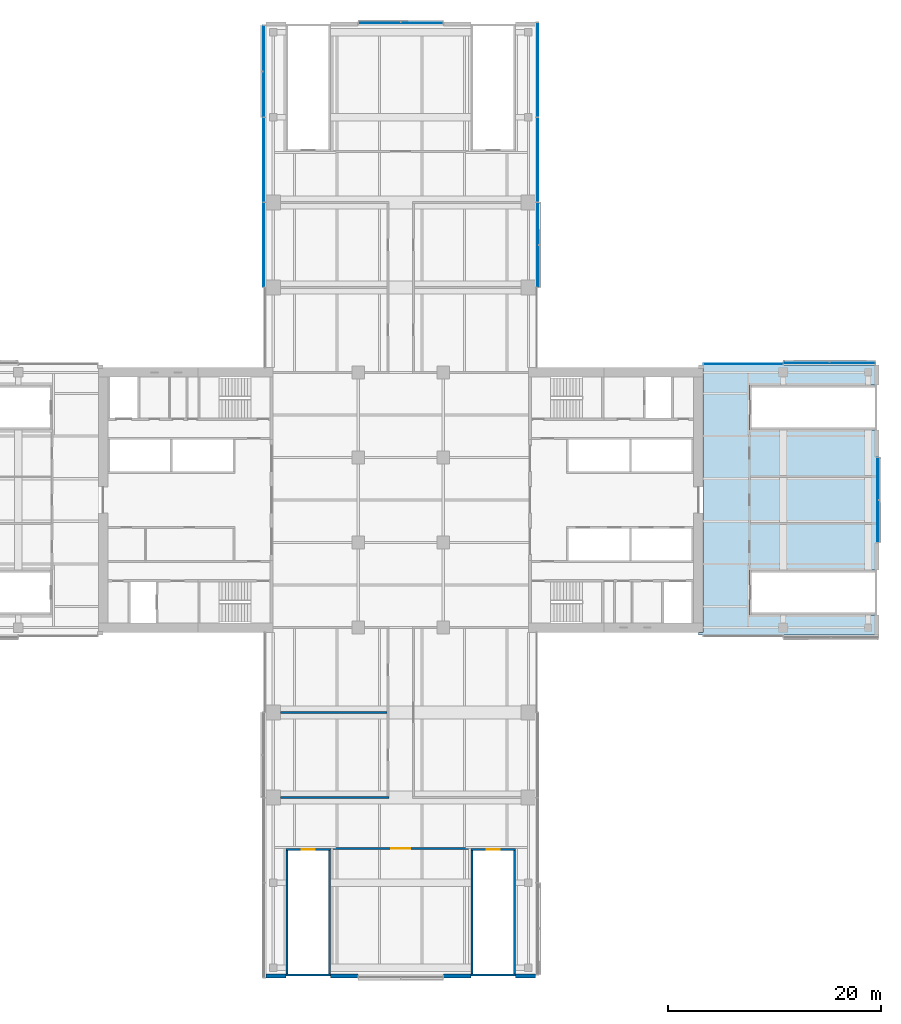
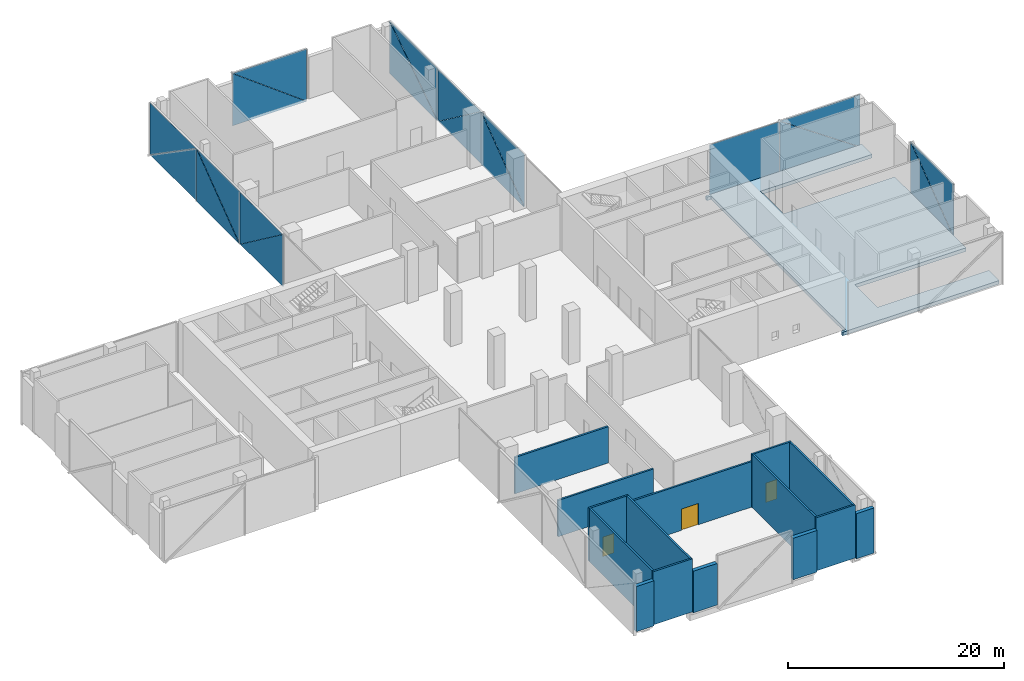
# One storey, part 13 of 23: 19 plates, 15 walls, 3 doors, 1 slab, 3 openings, 6 elements without a shape of their own.
"""IFC4 building model written with IfcOpenShell, lengths in metres."""

from ifc_helpers import new_model, si_unit, direction, frame, frame_2d, origin, place, context, subcontext, project, spatial, polyline, rectangle, outline, extrude, material, layer, layer_set, type_object, element, fill, aggregate, save


model = new_model("IFC4")

# Units and contexts
model_context = context("Model", 3, precision=1e-05, world=origin(), true_north=direction((0.0, 1.0)))
body_context = subcontext(model_context, "Body", "Model", "MODEL_VIEW")
ifc_project = project(units=[si_unit("LENGTHUNIT", "METRE"), si_unit("AREAUNIT", "SQUARE_METRE"), si_unit("VOLUMEUNIT", "CUBIC_METRE"), si_unit("PLANEANGLEUNIT", "RADIAN"), si_unit("MASSUNIT", "GRAM", prefix="KILO")], contexts=[model_context])

# Site, building, storey
site_placement = place(None, origin())
site = spatial("IfcSite", under=ifc_project, at=site_placement, CompositionType="ELEMENT")
building_placement = place(site_placement, origin())
building = spatial("IfcBuilding", under=site, at=building_placement, Name="Crosswind Convention Tower", CompositionType="ELEMENT")
storey_placement = place(building_placement, frame((0.0, 0.0, 41.5)))
storey = spatial("IfcBuildingStorey", under=building, at=storey_placement, Name="L05", CompositionType="ELEMENT", Elevation=41.5)

# Slab
ifc_material_1 = material(Name="Concrete C40/50", Category="concrete")
ifc_layer_1 = layer(ifc_material_1, 0.39990234375)
ifc_layer_set_1 = layer_set([ifc_layer_1], Name="Concrete C40/50")
slab_type = type_object("IfcSlabType", Name="Composite floor slab 400", PredefinedType="FLOOR", material=ifc_layer_set_1)
slab_placement = place(storey_placement, frame((0.0, 0.0, -0.39990234375)))
element("IfcSlab", 1, at=slab_placement, inside=storey, type_object=slab_type, Name="Floor slab L05 part 3", PredefinedType="FLOOR", context=body_context, shape_type="SweptSolid", body=[
    extrude(outline(polyline([(169.699951171875, 93.39990234375), (157.800048828125, 93.39990234375), (157.800048828125, 89.199951171875), (169.699951171875, 89.199951171875), (169.699951171875, 88.0), (169.699951171875, 87.300048828125), (169.0, 87.300048828125), (153.0, 87.300048828125), (153.0, 87.550048828125), (153.449951171875, 87.550048828125), (153.449951171875, 112.449951171875), (153.0, 112.449951171875), (153.0, 112.699951171875), (169.0, 112.699951171875), (169.699951171875, 112.699951171875), (169.699951171875, 112.0), (169.699951171875, 110.800048828125), (157.800048828125, 110.800048828125), (157.800048828125, 106.60009765625), (169.699951171875, 106.60009765625), (169.699951171875, 93.39990234375)])), origin(), (0.0, 0.0, 1.0), 0.39990234375),
])

# Curtain wall, plate
ifc_material_2 = material(Name="Aluminium unitised curtain wall", Category="aluminium")
curtain_wall_type_1 = type_object("IfcCurtainWallType", Name="CORE END SLOT WALL 160", PredefinedType="USERDEFINED", material=ifc_material_2)
curtain_wall_1_placement = place(storey_placement, origin())
curtain_wall_1 = element("IfcCurtainWall", 2, at=curtain_wall_1_placement, inside=storey, type_object=curtain_wall_type_1, Name="CW6 L05 E-N.1-2 slot", ObjectType="UNITISED", PredefinedType="USERDEFINED")
ifc_material_3 = material(Name="Laminated insulating glass unit", Category="glass")
ifc_layer_2 = layer(ifc_material_3, 0.02587890625)
ifc_layer_set_2 = layer_set([ifc_layer_2], Name="TRIANGULAR GLASS PANEL 26")
plate_type_1 = type_object("IfcPlateType", Name="TRIANGULAR GLASS PANEL 26", PredefinedType="CURTAIN_PANEL", material=ifc_layer_set_2)
plate_1_placement = place(storey_placement, frame((160.949951171875, 112.80712890625, -0.39990234375), z_axis=(0.0, 0.999999931812, 0.000369291346), x_axis=(-1.0, 0.0, 0.0)))
plate_1 = element("IfcPlate", 3, at=plate_1_placement, type_object=plate_type_1, Name="CW6 panel 1.1", PredefinedType="CURTAIN_PANEL", context=body_context, shape_type="SweptSolid", body=[
    extrude(outline(polyline([(0.0, 0.0), (7.449951171875, 0.0), (7.449951171875, 5.949951577590603), (0.0, 5.949951577590603), (0.0, 0.0)])), origin(), (0.0, 0.0, -1.0), 0.02587890625),
])
aggregate(curtain_wall_1, [plate_1])

# Curtain wall, plates
curtain_wall_type_2 = type_object("IfcCurtainWallType", Name="PODIUM UNITISED WALL 300", PredefinedType="USERDEFINED", material=ifc_material_2)
curtain_wall_2_placement = place(storey_placement, origin())
curtain_wall_2 = element("IfcCurtainWall", 4, at=curtain_wall_2_placement, inside=storey, type_object=curtain_wall_type_2, Name="CW1 L05 E-TIP 1", ObjectType="UNITISED", PredefinedType="USERDEFINED")
ifc_layer_3 = layer(ifc_material_3, 0.035888671875)
ifc_layer_set_3 = layer_set([ifc_layer_3], Name="TRIANGULAR GLASS PANEL 36")
plate_type_2 = type_object("IfcPlateType", Name="TRIANGULAR GLASS PANEL 36", PredefinedType="CURTAIN_PANEL", material=ifc_layer_set_3)
plate_2_placement = place(storey_placement, frame((169.88720703125, 103.9599609375, -0.39990234375), z_axis=(0.999999914602, 0.0, 0.000413274338), x_axis=(-0.000413274338, 0.0, 0.999999914602)))
plate_2 = element("IfcPlate", 5, at=plate_2_placement, type_object=plate_type_2, Name="CW1 panel 1.1", PredefinedType="CURTAIN_PANEL", context=body_context, shape_type="SweptSolid", body=[
    extrude(outline(polyline([(0.0, 0.0), (5.907471207610297, 0.0), (0.0, 7.903320312500002), (0.0, 0.0)])), origin(), (0.0, 0.0, -1.0), 0.035888671875),
])
plate_3_placement = place(storey_placement, frame((169.9228515625, 96.0400390625, 5.52001953125), z_axis=(0.999999914602, 0.0, 0.000413274338), x_axis=(0.000413274338, 0.0, -0.999999914602)))
plate_3 = element("IfcPlate", 6, at=plate_3_placement, type_object=plate_type_2, Name="CW1 panel 1.2", PredefinedType="CURTAIN_PANEL", context=body_context, shape_type="SweptSolid", body=[
    extrude(outline(polyline([(0.0, 0.0), (5.907471207610297, 0.0), (0.0, 7.903320312500002), (0.0, 0.0)])), origin(), (0.0, 0.0, -1.0), 0.035888671875),
])
aggregate(curtain_wall_2, [plate_2, plate_3])

curtain_wall_3_placement = place(storey_placement, origin())
curtain_wall_3 = element("IfcCurtainWall", 7, at=curtain_wall_3_placement, inside=storey, type_object=curtain_wall_type_2, Name="CW1 L05 E-N 1", ObjectType="UNITISED", PredefinedType="USERDEFINED")
plate_4_placement = place(storey_placement, frame((161.0400390625, 112.88720703125, -0.39990234375), z_axis=(0.0, 0.999999914609, 0.000413257259), x_axis=(0.0, -0.000413257259, 0.999999914609)))
plate_4 = element("IfcPlate", 8, at=plate_4_placement, type_object=plate_type_2, Name="CW1 panel 1.1", PredefinedType="CURTAIN_PANEL", context=body_context, shape_type="SweptSolid", body=[
    extrude(outline(polyline([(0.0, 0.0), (5.907715348214449, 0.0), (0.0, 8.562255859375), (0.0, 0.0)])), origin(), (0.0, 0.0, -1.0), 0.035888671875),
])
plate_5_placement = place(storey_placement, frame((169.6201171875, 112.9228515625, 5.52001953125), z_axis=(0.0, 0.999999914616, 0.000413240181), x_axis=(0.0, 0.000413240181, -0.999999914616)))
plate_5 = element("IfcPlate", 9, at=plate_5_placement, type_object=plate_type_2, Name="CW1 panel 1.2", PredefinedType="CURTAIN_PANEL", context=body_context, shape_type="SweptSolid", body=[
    extrude(outline(polyline([(0.0, 0.0), (5.9079594888186024, 0.0), (0.0, 8.5625), (0.0, 0.0)])), origin(), (0.0, 0.0, -1.0), 0.035888671875),
])
aggregate(curtain_wall_3, [plate_4, plate_5])

curtain_wall_4_placement = place(storey_placement, origin())
curtain_wall_4 = element("IfcCurtainWall", 10, at=curtain_wall_4_placement, inside=storey, type_object=curtain_wall_type_2, Name="CW1 L05 N-E 1", ObjectType="UNITISED", PredefinedType="USERDEFINED")
plate_6_placement = place(storey_placement, frame((137.88720703125, 127.9599609375, -0.39990234375), z_axis=(0.999999914602, 0.0, 0.000413274338), x_axis=(-0.000413274338, 0.0, 0.999999914602)))
plate_6 = element("IfcPlate", 11, at=plate_6_placement, type_object=plate_type_2, Name="CW1 panel 1.1", PredefinedType="CURTAIN_PANEL", context=body_context, shape_type="SweptSolid", body=[
    extrude(outline(polyline([(0.0, 0.0), (5.907471207610297, 0.0), (0.0, 7.903320312500002), (0.0, 0.0)])), origin(), (0.0, 0.0, -1.0), 0.035888671875),
])
plate_7_placement = place(storey_placement, frame((137.9228515625, 120.0400390625, 5.52001953125), z_axis=(0.999999914602, 0.0, 0.000413274338), x_axis=(0.000413274338, 0.0, -0.999999914602)))
plate_7 = element("IfcPlate", 12, at=plate_7_placement, type_object=plate_type_2, Name="CW1 panel 1.2", PredefinedType="CURTAIN_PANEL", context=body_context, shape_type="SweptSolid", body=[
    extrude(outline(polyline([(0.0, 0.0), (5.907471207610297, 0.0), (0.0, 7.903320312500002), (0.0, 0.0)])), origin(), (0.0, 0.0, -1.0), 0.035888671875),
])
plate_8_placement = place(storey_placement, frame((137.884765625, 135.9599609375, 5.52001953125), z_axis=(0.999999914602, 0.0, 0.000413274338), x_axis=(0.0, -1.0, 0.0)))
plate_8 = element("IfcPlate", 13, at=plate_8_placement, type_object=plate_type_2, Name="CW1 panel 2.1", PredefinedType="CURTAIN_PANEL", context=body_context, shape_type="SweptSolid", body=[
    extrude(outline(polyline([(0.0, 0.0), (7.9033203125, 0.0), (0.0, 5.907471207610298), (0.0, 0.0)])), origin(), (0.0, 0.0, -1.0), 0.035888671875),
])
plate_9_placement = place(storey_placement, frame((137.92529296875, 128.0400390625, -0.39990234375), z_axis=(0.999999914602, 0.0, 0.000413274338), x_axis=(0.0, 1.0, 0.0)))
plate_9 = element("IfcPlate", 14, at=plate_9_placement, type_object=plate_type_2, Name="CW1 panel 2.2", PredefinedType="CURTAIN_PANEL", context=body_context, shape_type="SweptSolid", body=[
    extrude(outline(polyline([(0.0, 0.0), (7.9033203125, 0.0), (0.0, 5.907471207610298), (0.0, 0.0)])), origin(), (0.0, 0.0, -1.0), 0.035888671875),
])
plate_10_placement = place(storey_placement, frame((137.88720703125, 144.905029296875, -0.39990234375), z_axis=(0.999999914616, 0.0, 0.000413240181), x_axis=(-0.000413240181, 0.0, 0.999999914616)))
plate_10 = element("IfcPlate", 15, at=plate_10_placement, type_object=plate_type_2, Name="CW1 panel 3.1", PredefinedType="CURTAIN_PANEL", context=body_context, shape_type="SweptSolid", body=[
    extrude(outline(polyline([(0.0, 0.0), (5.9079594888186024, 0.0), (0.0, 8.846923828125), (0.0, 0.0)])), origin(), (0.0, 0.0, -1.0), 0.035888671875),
])
plate_11_placement = place(storey_placement, frame((137.9228515625, 136.0400390625, 5.52001953125), z_axis=(0.999999914616, 0.0, 0.000413240181), x_axis=(0.000413240181, 0.0, -0.999999914616)))
plate_11 = element("IfcPlate", 16, at=plate_11_placement, type_object=plate_type_2, Name="CW1 panel 3.2", PredefinedType="CURTAIN_PANEL", context=body_context, shape_type="SweptSolid", body=[
    extrude(outline(polyline([(0.0, 0.0), (5.9079594888186024, 0.0), (0.0, 8.846923828125), (0.0, 0.0)])), origin(), (0.0, 0.0, -1.0), 0.035888671875),
])
aggregate(curtain_wall_4, [plate_6, plate_7, plate_8, plate_9, plate_10, plate_11])

curtain_wall_5_placement = place(storey_placement, origin())
curtain_wall_5 = element("IfcCurtainWall", 17, at=curtain_wall_5_placement, inside=storey, type_object=curtain_wall_type_2, Name="CW1 L05 N-TIP 1", ObjectType="UNITISED", PredefinedType="USERDEFINED")
plate_12_placement = place(storey_placement, frame((121.0400390625, 144.88720703125, -0.39990234375), z_axis=(0.0, 0.999999914602, 0.000413274338), x_axis=(0.0, -0.000413274338, 0.999999914602)))
plate_12 = element("IfcPlate", 18, at=plate_12_placement, type_object=plate_type_2, Name="CW1 panel 1.1", PredefinedType="CURTAIN_PANEL", context=body_context, shape_type="SweptSolid", body=[
    extrude(outline(polyline([(0.0, 0.0), (5.907471207610297, 0.0), (0.0, 7.903320312500002), (0.0, 0.0)])), origin(), (0.0, 0.0, -1.0), 0.035888671875),
])
plate_13_placement = place(storey_placement, frame((128.9599609375, 144.9228515625, 5.52001953125), z_axis=(0.0, 0.999999914602, 0.000413274338), x_axis=(0.0, 0.000413274338, -0.999999914602)))
plate_13 = element("IfcPlate", 19, at=plate_13_placement, type_object=plate_type_2, Name="CW1 panel 1.2", PredefinedType="CURTAIN_PANEL", context=body_context, shape_type="SweptSolid", body=[
    extrude(outline(polyline([(0.0, 0.0), (5.907471207610297, 0.0), (0.0, 7.903320312500002), (0.0, 0.0)])), origin(), (0.0, 0.0, -1.0), 0.035888671875),
])
aggregate(curtain_wall_5, [plate_12, plate_13])

curtain_wall_6_placement = place(storey_placement, origin())
curtain_wall_6 = element("IfcCurtainWall", 20, at=curtain_wall_6_placement, inside=storey, type_object=curtain_wall_type_2, Name="CW1 L05 N-W 1", ObjectType="UNITISED", PredefinedType="USERDEFINED")
plate_14_placement = place(storey_placement, frame((112.11279296875, 136.0400390625, -0.39990234375), z_axis=(-0.999999914609, 0.0, 0.000413257259), x_axis=(0.000413257259, 0.0, 0.999999914609)))
plate_14 = element("IfcPlate", 21, at=plate_14_placement, type_object=plate_type_2, Name="CW1 panel 1.1", PredefinedType="CURTAIN_PANEL", context=body_context, shape_type="SweptSolid", body=[
    extrude(outline(polyline([(0.0, 0.0), (5.907715348214449, 0.0), (0.0, 8.562255859375), (0.0, 0.0)])), origin(), (0.0, 0.0, -1.0), 0.035888671875),
])
plate_15_placement = place(storey_placement, frame((112.0771484375, 144.6201171875, 5.52001953125), z_axis=(-0.999999914616, 0.0, 0.000413240181), x_axis=(-0.000413240181, 0.0, -0.999999914616)))
plate_15 = element("IfcPlate", 22, at=plate_15_placement, type_object=plate_type_2, Name="CW1 panel 1.2", PredefinedType="CURTAIN_PANEL", context=body_context, shape_type="SweptSolid", body=[
    extrude(outline(polyline([(0.0, 0.0), (5.9079594888186024, 0.0), (0.0, 8.5625), (0.0, 0.0)])), origin(), (0.0, 0.0, -1.0), 0.035888671875),
])
plate_16_placement = place(storey_placement, frame((112.115234375, 128.0400390625, 5.52001953125), z_axis=(-0.999999914602, 0.0, 0.000413274338), x_axis=(0.0, 1.0, 0.0)))
plate_16 = element("IfcPlate", 23, at=plate_16_placement, type_object=plate_type_2, Name="CW1 panel 2.1", PredefinedType="CURTAIN_PANEL", context=body_context, shape_type="SweptSolid", body=[
    extrude(outline(polyline([(0.0, 0.0), (7.9033203125, 0.0), (0.0, 5.907471207610298), (0.0, 0.0)])), origin(), (0.0, 0.0, -1.0), 0.035888671875),
])
plate_17_placement = place(storey_placement, frame((112.07470703125, 135.9599609375, -0.39990234375), z_axis=(-0.999999914602, 0.0, 0.000413274338), x_axis=(0.0, -1.0, 0.0)))
plate_17 = element("IfcPlate", 24, at=plate_17_placement, type_object=plate_type_2, Name="CW1 panel 2.2", PredefinedType="CURTAIN_PANEL", context=body_context, shape_type="SweptSolid", body=[
    extrude(outline(polyline([(0.0, 0.0), (7.9033203125, 0.0), (0.0, 5.907471207610298), (0.0, 0.0)])), origin(), (0.0, 0.0, -1.0), 0.035888671875),
])
plate_18_placement = place(storey_placement, frame((112.11279296875, 120.0400390625, -0.39990234375), z_axis=(-0.999999914602, 0.0, 0.000413274338), x_axis=(0.000413274338, 0.0, 0.999999914602)))
plate_18 = element("IfcPlate", 25, at=plate_18_placement, type_object=plate_type_2, Name="CW1 panel 3.1", PredefinedType="CURTAIN_PANEL", context=body_context, shape_type="SweptSolid", body=[
    extrude(outline(polyline([(0.0, 0.0), (5.907471207610297, 0.0), (0.0, 7.903320312500002), (0.0, 0.0)])), origin(), (0.0, 0.0, -1.0), 0.035888671875),
])
plate_19_placement = place(storey_placement, frame((112.0771484375, 127.9599609375, 5.52001953125), z_axis=(-0.999999914602, 0.0, 0.000413274338), x_axis=(-0.000413274338, 0.0, -0.999999914602)))
plate_19 = element("IfcPlate", 26, at=plate_19_placement, type_object=plate_type_2, Name="CW1 panel 3.2", PredefinedType="CURTAIN_PANEL", context=body_context, shape_type="SweptSolid", body=[
    extrude(outline(polyline([(0.0, 0.0), (5.907471207610297, 0.0), (0.0, 7.903320312500002), (0.0, 0.0)])), origin(), (0.0, 0.0, -1.0), 0.035888671875),
])
aggregate(curtain_wall_6, [plate_14, plate_15, plate_16, plate_17, plate_18, plate_19])

# Wall, opening, door
ifc_material_4 = material(Name="Double plasterboard partition", Category="gypsum")
ifc_layer_4 = layer(ifc_material_4, 0.199951171875)
ifc_layer_set_4 = layer_set([ifc_layer_4], Name="HALL WALL 200")
wall_type_1 = type_object("IfcWallType", Name="HALL WALL 200", PredefinedType="PARTITIONING", material=ifc_layer_set_4)
wall_1_placement = place(storey_placement, frame((118.39990234375, 67.199951171875, 0.0), z_axis=(0.0, 0.0, 1.0), x_axis=(1.0, 0.0, 0.0)))
wall_1 = element("IfcWall", 27, at=wall_1_placement, inside=storey, type_object=wall_type_1, Name="Hall Wall 5", PredefinedType="PARTITIONING", context=body_context, shape_type="SweptSolid", body=[
    extrude(rectangle(XDim=13.2001953125, YDim=0.199951171875, at=frame_2d((6.60009765625, 0.0))), origin(), (0.0, 0.0, 1.0), 5.142822265625),
])
opening_1_placement = place(wall_1_placement, frame((5.699951171875, 0.0, 0.0)))
opening_1 = element("IfcOpeningElement", 28, at=opening_1_placement, cuts=wall_1, Name="Opening 05.009", PredefinedType="OPENING", context=body_context, shape_type="SweptSolid", body=[
    extrude(rectangle(XDim=1.800048828125, YDim=2.39990234375, at=frame_2d((0.89990234375, 1.199951171875))), frame((0.0, 0.10986328125, 0.0), z_axis=(0.0, -1.0, 0.0), x_axis=(1.0, 0.0, 0.0)), (0.0, 0.0, 1.0), 0.219970703125),
])
ifc_material_5 = material(Name="Timber fire door", Category="wood")
door_type_1 = type_object("IfcDoorType", Name="HALL DOUBLE DOOR 1800X2400", OperationType="DOUBLE_DOOR_SINGLE_SWING", PredefinedType="DOOR", material=ifc_material_5)
door_1_placement = place(opening_1_placement, origin())
door_1 = element("IfcDoor", 29, at=door_1_placement, inside=storey, type_object=door_type_1, Name="Door 05.009", ObjectType="D5", OperationType="DOUBLE_DOOR_SINGLE_SWING", OverallHeight=2.39990234375, OverallWidth=1.800048828125, PredefinedType="DOOR", context=body_context, shape_type="SweptSolid", body=[
    extrude(rectangle(XDim=1.800048828125, YDim=2.39990234375, at=frame_2d((0.89990234375, 1.199951171875))), frame((0.0, 0.02490234375, 0.0), z_axis=(0.0, -1.0, 0.0), x_axis=(1.0, 0.0, 0.0)), (0.0, 0.0, 1.0), 0.050048828125),
])
fill(opening_1, door_1)

# Walls
wall_2_placement = place(storey_placement, frame((113.699951171875, 72.0, 0.0), z_axis=(0.0, 0.0, 1.0), x_axis=(1.0, 0.0, 0.0)))
element("IfcWall", 30, at=wall_2_placement, inside=storey, type_object=wall_type_1, Name="Hall Wall 6", PredefinedType="PARTITIONING", context=body_context, shape_type="SweptSolid", body=[
    extrude(rectangle(XDim=10.199951171875, YDim=0.199951171875, at=frame_2d((5.10009765625, 0.0))), origin(), (0.0, 0.0, 1.0), 4.10009765625),
])
wall_3_placement = place(storey_placement, frame((113.699951171875, 80.0, 0.0), z_axis=(0.0, 0.0, 1.0), x_axis=(1.0, 0.0, 0.0)))
element("IfcWall", 31, at=wall_3_placement, inside=storey, type_object=wall_type_1, Name="Hall Wall 8", PredefinedType="PARTITIONING", context=body_context, shape_type="SweptSolid", body=[
    extrude(rectangle(XDim=10.0, YDim=0.199951171875, at=frame_2d((5.0, 0.0))), origin(), (0.0, 0.0, 1.0), 4.10009765625),
])
ifc_layer_5 = layer(ifc_material_1, 0.199951171875)
ifc_layer_set_5 = layer_set([ifc_layer_5], Name="Concrete C40/50")
wall_type_2 = type_object("IfcWallType", Name="STAIR ENCLOSURE WALL 200", PredefinedType="SOLIDWALL", material=ifc_layer_set_5)
for number, where, z_axis, x_axis, name in (
    (32, (114.199951171875, 55.300048828125, 0.0), (0.0, 0.0, 1.0), (1.0, 0.0, 0.0), "Stair Enclosure Wall 1"),
    (33, (131.60009765625, 55.300048828125, 0.0), (0.0, 0.0, 1.0), (1.0, 0.0, 0.0), "Stair Enclosure Wall 2"),
):
    element("IfcWall", number, at=place(storey_placement, frame(where, z_axis=z_axis, x_axis=x_axis)), inside=storey, type_object=wall_type_2, Name=name, PredefinedType="SOLIDWALL", context=body_context, shape_type="SweptSolid", body=[
        extrude(rectangle(XDim=4.199951171875, YDim=0.199951171875, at=frame_2d((2.10009765625, 0.0))), origin(), (0.0, 0.0, 1.0), 6.0),
    ])

# Wall, opening, door
wall_4_placement = place(storey_placement, frame((114.199951171875, 67.10009765625, 0.0), z_axis=(0.0, 0.0, 1.0), x_axis=(1.0, 0.0, 0.0)))
wall_4 = element("IfcWall", 34, at=wall_4_placement, inside=storey, type_object=wall_type_2, Name="Stair Enclosure Wall 3", PredefinedType="SOLIDWALL", context=body_context, shape_type="SweptSolid", body=[
    extrude(rectangle(XDim=4.199951171875, YDim=0.199951171875, at=frame_2d((2.10009765625, 0.0))), origin(), (0.0, 0.0, 1.0), 6.0),
])
opening_2_placement = place(wall_4_placement, frame((1.5, 0.0, 0.0)))
opening_2 = element("IfcOpeningElement", 35, at=opening_2_placement, cuts=wall_4, Name="Opening 05.020", PredefinedType="OPENING", context=body_context, shape_type="SweptSolid", body=[
    extrude(rectangle(XDim=1.199951171875, YDim=2.199951171875, at=frame_2d((0.60009765625, 1.10009765625))), frame((0.0, 0.10986328125, 0.0), z_axis=(0.0, -1.0, 0.0), x_axis=(1.0, 0.0, 0.0)), (0.0, 0.0, 1.0), 0.219970703125),
])
ifc_material_6 = material(Name="Steel fire door", Category="steel")
door_type_2 = type_object("IfcDoorType", Name="STAIR DOOR 1200X2200", OperationType="NOTDEFINED", PredefinedType="DOOR", material=ifc_material_6)
door_2_placement = place(opening_2_placement, frame((1.199951171875, 0.0, 0.0), z_axis=(0.0, 0.0, 1.0), x_axis=(-1.0, 0.0, 0.0)))
door_2 = element("IfcDoor", 36, at=door_2_placement, inside=storey, type_object=door_type_2, Name="Door 05.020", ObjectType="D4", OperationType="SINGLE_SWING_LEFT", OverallHeight=2.199951171875, OverallWidth=1.199951171875, PredefinedType="DOOR", context=body_context, shape_type="SweptSolid", body=[
    extrude(rectangle(XDim=1.199951171875, YDim=2.199951171875, at=frame_2d((0.60009765625, 1.10009765625))), frame((0.0, 0.02490234375, 0.0), z_axis=(0.0, -1.0, 0.0), x_axis=(1.0, 0.0, 0.0)), (0.0, 0.0, 1.0), 0.050048828125),
])
fill(opening_2, door_2)

wall_5_placement = place(storey_placement, frame((131.60009765625, 67.10009765625, 0.0), z_axis=(0.0, 0.0, 1.0), x_axis=(1.0, 0.0, 0.0)))
wall_5 = element("IfcWall", 37, at=wall_5_placement, inside=storey, type_object=wall_type_2, Name="Stair Enclosure Wall 4", PredefinedType="SOLIDWALL", context=body_context, shape_type="SweptSolid", body=[
    extrude(rectangle(XDim=4.199951171875, YDim=0.199951171875, at=frame_2d((2.10009765625, 0.0))), origin(), (0.0, 0.0, 1.0), 6.0),
])
opening_3_placement = place(wall_5_placement, frame((1.5, 0.0, 0.0)))
opening_3 = element("IfcOpeningElement", 38, at=opening_3_placement, cuts=wall_5, Name="Opening 05.021", PredefinedType="OPENING", context=body_context, shape_type="SweptSolid", body=[
    extrude(rectangle(XDim=1.199951171875, YDim=2.199951171875, at=frame_2d((0.60009765625, 1.10009765625))), frame((0.0, 0.10986328125, 0.0), z_axis=(0.0, -1.0, 0.0), x_axis=(1.0, 0.0, 0.0)), (0.0, 0.0, 1.0), 0.219970703125),
])
door_3_placement = place(opening_3_placement, frame((1.199951171875, 0.0, 0.0), z_axis=(0.0, 0.0, 1.0), x_axis=(-1.0, 0.0, 0.0)))
door_3 = element("IfcDoor", 39, at=door_3_placement, inside=storey, type_object=door_type_2, Name="Door 05.021", ObjectType="D4", OperationType="SINGLE_SWING_LEFT", OverallHeight=2.199951171875, OverallWidth=1.199951171875, PredefinedType="DOOR", context=body_context, shape_type="SweptSolid", body=[
    extrude(rectangle(XDim=1.199951171875, YDim=2.199951171875, at=frame_2d((0.60009765625, 1.10009765625))), frame((0.0, 0.02490234375, 0.0), z_axis=(0.0, -1.0, 0.0), x_axis=(1.0, 0.0, 0.0)), (0.0, 0.0, 1.0), 0.050048828125),
])
fill(opening_3, door_3)

# Walls
for number, where, z_axis, x_axis, name in (
    (40, (114.300048828125, 55.39990234375, 0.0), (0.0, 0.0, 1.0), (0.0, 1.0, 0.0), "Stair Enclosure Wall 44"),
    (41, (118.300048828125, 55.39990234375, 0.0), (0.0, 0.0, 1.0), (0.0, 1.0, 0.0), "Stair Enclosure Wall 46"),
    (42, (131.699951171875, 55.39990234375, 0.0), (0.0, 0.0, 1.0), (0.0, 1.0, 0.0), "Stair Enclosure Wall 52"),
    (43, (135.699951171875, 55.39990234375, 0.0), (0.0, 0.0, 1.0), (0.0, 1.0, 0.0), "Stair Enclosure Wall 54"),
):
    element("IfcWall", number, at=place(storey_placement, frame(where, z_axis=z_axis, x_axis=x_axis)), inside=storey, type_object=wall_type_2, Name=name, PredefinedType="SOLIDWALL", context=body_context, shape_type="SweptSolid", body=[
        extrude(rectangle(XDim=11.60009765625, YDim=0.199951171875, at=frame_2d((5.800048828125, 0.0))), origin(), (0.0, 0.0, 1.0), 6.0),
    ])
ifc_material_7 = material(Name="Terracotta rainscreen", Category="ceramic")
ifc_layer_6 = layer(ifc_material_7, 0.02001953125)
ifc_material_8 = material(Name="Mineral wool insulation", Category="insulation")
ifc_layer_7 = layer(ifc_material_8, 0.10009765625)
ifc_material_9 = material(Name="Concrete blockwork", Category="masonry")
ifc_layer_8 = layer(ifc_material_9, 0.280029296875)
ifc_layer_set_6 = layer_set([ifc_layer_6, ifc_layer_7, ifc_layer_8], Name="TERRACOTTA INFILL WALL 400")
wall_type_3 = type_object("IfcWallType", Name="TERRACOTTA INFILL WALL 400", PredefinedType="SOLIDWALL", material=ifc_layer_set_6)
wall_6_placement = place(storey_placement, frame((112.300048828125, 55.215087890625, 0.0), z_axis=(0.0, 0.0, 1.0), x_axis=(1.0, 0.0, 0.0)))
element("IfcWall", 44, at=wall_6_placement, inside=storey, type_object=wall_type_3, Name="Stair enclosure side wall L05 S-TIP.1-1.1", PredefinedType="SOLIDWALL", context=body_context, shape_type="SweptSolid", body=[
    extrude(rectangle(XDim=1.89990234375, YDim=0.39990234375, at=frame_2d((0.949951171875, 0.0))), origin(), (0.0, 0.0, 1.0), 5.10009765625),
])
for number, where, z_axis, x_axis, name in (
    (45, (118.39990234375, 55.215087890625, 0.0), (0.0, 0.0, 1.0), (1.0, 0.0, 0.0), "Stair enclosure side wall L05 S-TIP.1-1.2"),
    (46, (129.0400390625, 55.215087890625, 0.0), (0.0, 0.0, 1.0), (1.0, 0.0, 0.0), "Stair enclosure side wall L05 S-TIP.1-3.1"),
):
    element("IfcWall", number, at=place(storey_placement, frame(where, z_axis=z_axis, x_axis=x_axis)), inside=storey, type_object=wall_type_3, Name=name, PredefinedType="SOLIDWALL", context=body_context, shape_type="SweptSolid", body=[
        extrude(rectangle(XDim=2.56005859375, YDim=0.39990234375, at=frame_2d((1.280029296875, 0.0))), origin(), (0.0, 0.0, 1.0), 4.699951171875),
    ])
wall_7_placement = place(storey_placement, frame((135.800048828125, 55.215087890625, 0.0), z_axis=(0.0, 0.0, 1.0), x_axis=(1.0, 0.0, 0.0)))
element("IfcWall", 47, at=wall_7_placement, inside=storey, type_object=wall_type_3, Name="Stair enclosure side wall L05 S-TIP.1-3.2", PredefinedType="SOLIDWALL", context=body_context, shape_type="SweptSolid", body=[
    extrude(rectangle(XDim=1.89990234375, YDim=0.39990234375, at=frame_2d((0.949951171875, 0.0))), origin(), (0.0, 0.0, 1.0), 5.10009765625),
])

save(model, "model.ifc")
